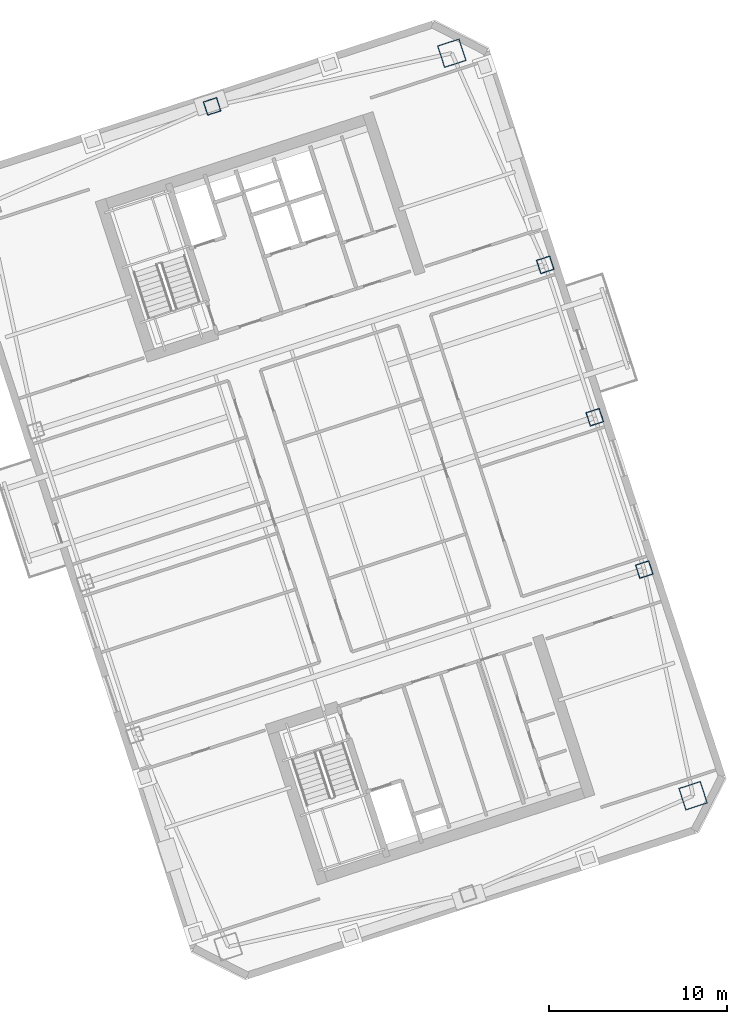
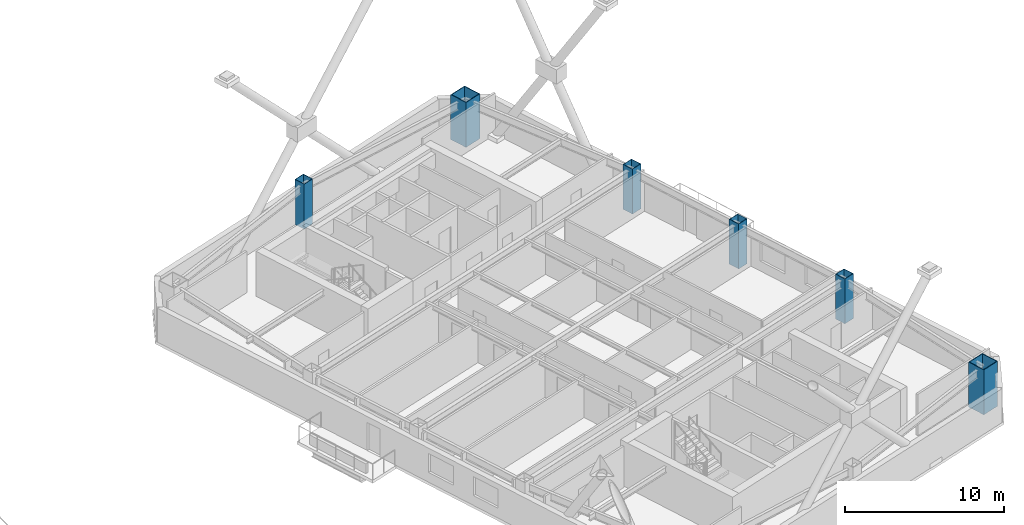
# One storey, part 2 of 17: 6 columns.
"""IFC4 building model written with IfcOpenShell, lengths in metres."""

from ifc_helpers import new_model, si_unit, direction, frame, origin, origin_2d, place, context, subcontext, project, spatial, hollow_rectangle, extrude, material, material_profile, profile_set, type_object, element, save


model = new_model("IFC4")

# Units and contexts
model_context = context("Model", 3, precision=1e-05, world=origin(), true_north=direction((0.0, 1.0)))
body_context = subcontext(model_context, "Body", "Model", "MODEL_VIEW")
ifc_project = project(units=[si_unit("LENGTHUNIT", "METRE"), si_unit("AREAUNIT", "SQUARE_METRE"), si_unit("VOLUMEUNIT", "CUBIC_METRE"), si_unit("PLANEANGLEUNIT", "RADIAN"), si_unit("MASSUNIT", "GRAM", prefix="KILO")], contexts=[model_context])

# Site, building, storey
site_placement = place(None, origin())
site = spatial("IfcSite", under=ifc_project, at=site_placement, CompositionType="ELEMENT")
building_placement = place(site_placement, origin())
building = spatial("IfcBuilding", under=site, at=building_placement, Name="Qiaolan Cultural Towers", CompositionType="ELEMENT")
storey_placement = place(building_placement, frame((0.0, 0.0, 177.10009765625)))
storey = spatial("IfcBuildingStorey", under=building, at=storey_placement, Name="L47", CompositionType="ELEMENT", Elevation=177.10009765625)

# Columns
ifc_material_1 = material(Name="Steel Q390GJB", Category="steel")
ifc_material_profile_1 = material_profile(ifc_material_1, hollow_rectangle(XDim=1.300048828125, YDim=1.300048828125, WallThickness=0.044921875, at=origin_2d()), Name="BOX1300x1300x45")
ifc_profile_set_1 = profile_set([ifc_material_profile_1], Name="Steel Q390GJB")
column_type_1 = type_object("IfcColumnType", Name="COL-BOX1300x1300x45", PredefinedType="COLUMN", material=ifc_profile_set_1)
for number, where, z_axis, x_axis, name in (
    (1, (109.834716796875, 17.38623046875, 0.0), (0.0, 0.0, 1.0), (0.951056516295, 0.309016994375, 0.0), "L47 T2 Perimeter Column MC-SE"),
    (2, (96.28125, 59.099365234375, 0.0), (0.0, 0.0, 1.0), (0.951056516295, 0.309016994375, 0.0), "L47 T2 Perimeter Column MC-NE"),
):
    element("IfcColumn", number, at=place(storey_placement, frame(where, z_axis=z_axis, x_axis=x_axis)), inside=storey, type_object=column_type_1, Name=name, PredefinedType="COLUMN", context=body_context, shape_type="SweptSolid", body=[
        extrude(hollow_rectangle(XDim=1.300048828125, YDim=1.300048828125, WallThickness=0.044921875, at=origin_2d()), origin(), (0.0, 0.0, 1.0), 3.450927734375),
    ])
ifc_material_2 = material(Name="Steel Q355B", Category="steel")
ifc_material_profile_2 = material_profile(ifc_material_2, hollow_rectangle(XDim=0.800048828125, YDim=0.800048828125, WallThickness=0.028076171875, at=origin_2d()), Name="BOX800x800x28")
ifc_profile_set_2 = profile_set([ifc_material_profile_2], Name="Steel Q355B")
column_type_2 = type_object("IfcColumnType", Name="COL-BOX800x800x28", PredefinedType="COLUMN", material=ifc_profile_set_2)
for number, where, z_axis, x_axis, name in (
    (3, (107.094482421875, 30.09130859375, 0.0), (0.0, 0.0, 1.0), (0.951056516295, 0.309016994375, 0.0), "L47 T2 Perimeter Column PC-E1"),
    (4, (104.3134765625, 38.650634765625, 0.0), (0.0, 0.0, 1.0), (0.951056516295, 0.309016994375, 0.0), "L47 T2 Perimeter Column PC-E2"),
    (5, (101.5322265625, 47.210205078125, 0.0), (0.0, 0.0, 1.0), (0.951056516295, 0.309016994375, 0.0), "L47 T2 Perimeter Column PC-E3"),
    (6, (82.8154296875, 56.112060546875, 0.0), (0.0, 0.0, 1.0), (0.951056516295, 0.309016994375, 0.0), "L47 T2 Perimeter Column PC-N0"),
):
    element("IfcColumn", number, at=place(storey_placement, frame(where, z_axis=z_axis, x_axis=x_axis)), inside=storey, type_object=column_type_2, Name=name, PredefinedType="COLUMN", context=body_context, shape_type="SweptSolid", body=[
        extrude(hollow_rectangle(XDim=0.800048828125, YDim=0.800048828125, WallThickness=0.028076171875, at=origin_2d()), origin(), (0.0, 0.0, 1.0), 3.450927734375),
    ])

save(model, "model.ifc")
